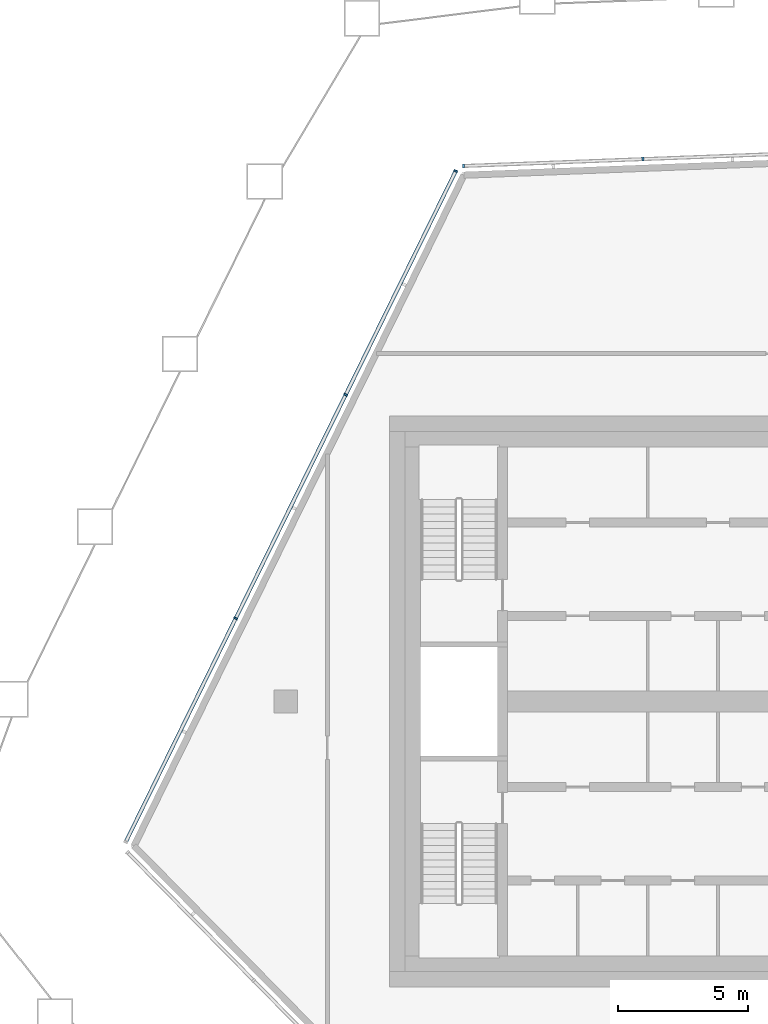
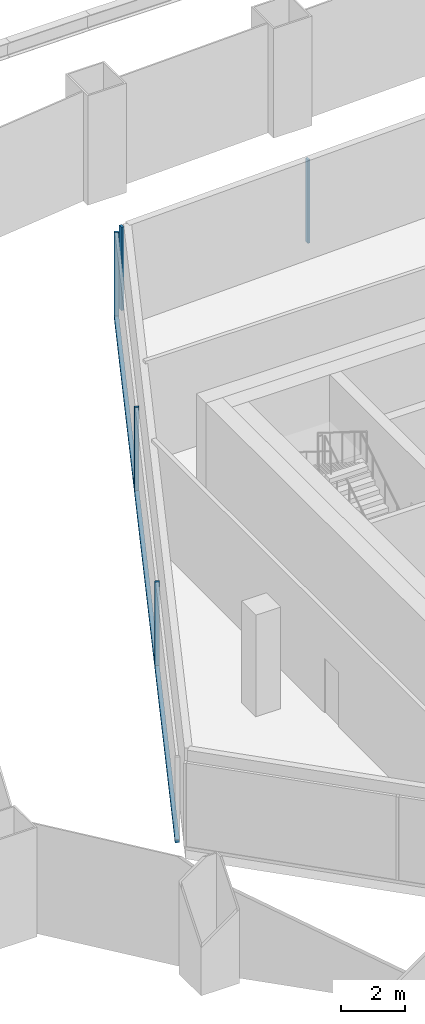
# One storey, part 5 of 18: 6 members, 2 elements without a shape of their own.
"""IFC4 building model written with IfcOpenShell, lengths in metres."""

import ifcopenshell
import ifcopenshell.guid

model = None  # the IFC model being written
_history = None  # IfcOwnerHistory: only IFC2X3 demands one
_inside = {}  # id of a spatial element -> (the spatial element, [elements in it])
_under = {}  # id of a project, library or spatial element -> (it, [spatial elements below it])
_declared = {}  # id of a project -> (the project, [libraries it declares])
_typed = {}  # id of a type object -> (the type object, [elements of that type])
_made_of = {}  # id of a material, layer set ... -> (it, [elements and type objects made of it])


def new_model(schema):
    """Start an empty IFC model of exactly this schema.

    Asked for "IFC4X3", IfcOpenShell would pick the latest addendum, in which some entities
    have other attributes; the version numbers below select the first issue.
    IFC2X3 requires an IfcOwnerHistory on every rooted entity: one is made here for all.
    """
    global model, _history
    if schema == "IFC4X3":
        model = ifcopenshell.file(schema_version=(4, 3, 0, 0))
    else:
        model = ifcopenshell.file(schema=schema)
    _inside.clear()
    _under.clear()
    _declared.clear()
    _typed.clear()
    _made_of.clear()
    _history = None
    if model.schema == "IFC2X3":
        org = make("IfcOrganization", Name="unknown")
        user = make(
            "IfcPersonAndOrganization",
            ThePerson=make("IfcPerson", FamilyName="unknown"),
            TheOrganization=org,
        )
        app = make(
            "IfcApplication",
            ApplicationDeveloper=org,
            Version="unknown",
            ApplicationFullName="unknown",
            ApplicationIdentifier="unknown",
        )
        _history = make(
            "IfcOwnerHistory",
            OwningUser=user,
            OwningApplication=app,
            ChangeAction="ADDED",
            CreationDate=0,
        )
    return model


def make(cls, **values):
    """One entity of the class cls with the attributes given. An attribute that is None is left unset."""
    return model.create_entity(
        cls, **{name: value for name, value in values.items() if value is not None}
    )


def rooted(cls, **values):
    """An entity with a GlobalId (a new one), such as an element, a storey or a relation."""
    return make(cls, GlobalId=ifcopenshell.guid.new(), OwnerHistory=_history, **values)


def si_unit(unit_type, name, prefix=None):
    """IfcSIUnit, for example si_unit("LENGTHUNIT", "METRE", prefix="MILLI")."""
    return make("IfcSIUnit", UnitType=unit_type, Prefix=prefix, Name=name)


def assignment(units):
    """IfcUnitAssignment: the units of a project."""
    return None if units is None else make("IfcUnitAssignment", Units=units)


def point(xyz):
    """IfcCartesianPoint."""
    return None if xyz is None else make("IfcCartesianPoint", Coordinates=xyz)


def direction(xyz):
    """IfcDirection."""
    return None if xyz is None else make("IfcDirection", DirectionRatios=xyz)


def frame(location, z_axis=None, x_axis=None):
    """IfcAxis2Placement3D, a coordinate frame: its origin and axes. An axis left out is left unset."""
    return make(
        "IfcAxis2Placement3D",
        Location=point(location),
        Axis=direction(z_axis),
        RefDirection=direction(x_axis),
    )


def frame_2d(location, x_axis=None):
    """IfcAxis2Placement2D, a coordinate frame in the plane: its origin and x axis."""
    return make(
        "IfcAxis2Placement2D", Location=point(location), RefDirection=direction(x_axis)
    )


def origin():
    """The frame at (0, 0, 0) with its axes left unset."""
    return frame((0.0, 0.0, 0.0))


def origin_2d():
    """The frame at (0, 0) in the plane with its x axis left unset."""
    return frame_2d((0.0, 0.0))


def place(relative_to, where):
    """IfcLocalPlacement: puts the frame where relative to a parent placement (None: the world)."""
    return make(
        "IfcLocalPlacement", PlacementRelTo=relative_to, RelativePlacement=where
    )


def context(
    kind, dimensions, precision=None, world=None, true_north=None, identifier=None
):
    """IfcGeometricRepresentationContext, for example the 3D "Model" context."""
    return make(
        "IfcGeometricRepresentationContext",
        ContextIdentifier=identifier,
        ContextType=kind,
        CoordinateSpaceDimension=dimensions,
        Precision=precision,
        WorldCoordinateSystem=world,
        TrueNorth=true_north,
    )


def subcontext(parent, identifier, kind, view, scale=None):
    """IfcGeometricRepresentationSubContext, for example "Body" below "Model"."""
    return make(
        "IfcGeometricRepresentationSubContext",
        ContextIdentifier=identifier,
        ContextType=kind,
        ParentContext=parent,
        TargetScale=scale,
        TargetView=view,
    )


def project(units=None, contexts=None):
    """IfcProject with its units and contexts."""
    return rooted(
        "IfcProject",
        Name="project",
        RepresentationContexts=contexts,
        UnitsInContext=assignment(units),
    )


def spatial(cls, under=None, at=None, **own):
    """A site, building, storey or space (cls), placed at a placement, below another one or the project."""
    s = rooted(cls, ObjectPlacement=at, **own)
    if under is not None:
        _under.setdefault(under.id(), (under, []))[1].append(s)
    return s


def profile(cls, at=None, kind="AREA", **sizes):
    """A parametric profile (cls). Its sizes go by their IFC names, for example OverallWidth=200.0."""
    return make(cls, ProfileType=kind, Position=at, **sizes)


def rectangle(**sizes):
    """IfcRectangleProfileDef."""
    return profile("IfcRectangleProfileDef", **sizes)


def extrude(swept, where, along, depth):
    """IfcExtrudedAreaSolid: the profile swept, set in the frame where, extruded along a direction by depth."""
    return make(
        "IfcExtrudedAreaSolid",
        SweptArea=swept,
        Position=where,
        ExtrudedDirection=direction(along),
        Depth=depth,
    )


def shape(context_of_items, identifier, shape_type, items):
    """IfcShapeRepresentation: the items that make up one representation, for example the "Body"."""
    return make(
        "IfcShapeRepresentation",
        ContextOfItems=context_of_items,
        RepresentationIdentifier=identifier,
        RepresentationType=shape_type,
        Items=items,
    )


def material(Name=None, Category=None):
    """IfcMaterial."""
    return make("IfcMaterial", Name=Name, Category=Category)


def layer(
    of_material, thickness, ventilated=None, Name=None, Category=None, Priority=None
):
    """IfcMaterialLayer: one layer of a wall or slab, of a material (None: an air gap)."""
    return make(
        "IfcMaterialLayer",
        Material=of_material,
        LayerThickness=thickness,
        IsVentilated=ventilated,
        Name=Name,
        Category=Category,
        Priority=Priority,
    )


def layer_set(layers, Name=None):
    """IfcMaterialLayerSet."""
    return make("IfcMaterialLayerSet", MaterialLayers=layers, LayerSetName=Name)


def material_profile(
    of_material, cross_section, Name=None, Category=None, Priority=None
):
    """IfcMaterialProfile: a cross section and its material."""
    return make(
        "IfcMaterialProfile",
        Name=Name,
        Material=of_material,
        Profile=cross_section,
        Priority=Priority,
        Category=Category,
    )


def profile_set(profiles, Name=None, composite=None):
    """IfcMaterialProfileSet."""
    return make(
        "IfcMaterialProfileSet",
        Name=Name,
        MaterialProfiles=profiles,
        CompositeProfile=composite,
    )


def made_of(thing, what):
    """Note that an element or type object is made of a material, layer set ...; save() writes the relation."""
    if what is not None:
        _made_of.setdefault(what.id(), (what, []))[1].append(thing)
    return thing


def type_object(cls, material=None, **own):
    """A type object (cls), such as IfcWallType, which elements share."""
    return made_of(rooted(cls, **own), material)


def element(
    cls,
    number,
    at=None,
    inside=None,
    cuts=None,
    type_object=None,
    material=None,
    context=None,
    identifier="Body",
    shape_type=None,
    held_by="IfcProductDefinitionShape",
    body=None,
    shapes=None,
    **own,
):
    """One element of the class cls, such as IfcWall. Its Tag is "e" and its number.

    at: its placement. inside: the storey or other place that contains it. cuts: it is an
    opening in that element (IfcRelVoidsElement). A single representation is given by context,
    identifier, shape_type and body (its items); several are given by shapes. held_by: the class
    of the entity that holds the representations. save() writes the other relations.
    """
    e = rooted(cls, Tag="e%d" % number, ObjectPlacement=at, **own)
    if body is not None:
        shapes = [shape(context, identifier, shape_type, body)]
    if shapes is not None:
        e.Representation = make(held_by, Representations=shapes)
    if inside is not None:
        _inside.setdefault(inside.id(), (inside, []))[1].append(e)
    if cuts is not None:
        rooted(
            "IfcRelVoidsElement", RelatingBuildingElement=cuts, RelatedOpeningElement=e
        )
    if type_object is not None:
        _typed.setdefault(type_object.id(), (type_object, []))[1].append(e)
    return made_of(e, material)


def aggregate(whole, parts):
    """IfcRelAggregates: a whole, such as a stair, and the parts it consists of."""
    return rooted("IfcRelAggregates", RelatingObject=whole, RelatedObjects=parts)


def save(model, path):
    """Write the relations noted so far, then the file.

    IfcRelAggregates (storeys below a building ...), IfcRelContainedInSpatialStructure (elements
    in a storey), IfcRelDefinesByType, IfcRelAssociatesMaterial and IfcRelDeclares: one each for
    every whole, place, type object, material and project.
    """
    for whole, parts in _under.values():
        aggregate(whole, parts)
    for where, things in _inside.values():
        rooted(
            "IfcRelContainedInSpatialStructure",
            RelatedElements=things,
            RelatingStructure=where,
        )
    for kind, things in _typed.values():
        rooted("IfcRelDefinesByType", RelatedObjects=things, RelatingType=kind)
    for what, things in _made_of.values():
        rooted("IfcRelAssociatesMaterial", RelatedObjects=things, RelatingMaterial=what)
    for by, libraries in _declared.values():
        rooted("IfcRelDeclares", RelatingContext=by, RelatedDefinitions=libraries)
    model.write(path)


model = new_model("IFC4")

# Units and contexts
model_context = context("Model", 3, precision=1e-05, world=origin(), true_north=direction((0.0, 1.0)))
body_context = subcontext(model_context, "Body", "Model", "MODEL_VIEW")
ifc_project = project(units=[si_unit("LENGTHUNIT", "METRE"), si_unit("AREAUNIT", "SQUARE_METRE"), si_unit("VOLUMEUNIT", "CUBIC_METRE"), si_unit("PLANEANGLEUNIT", "RADIAN"), si_unit("MASSUNIT", "GRAM", prefix="KILO")], contexts=[model_context])

# Site, building, storey
site_placement = place(None, origin())
site = spatial("IfcSite", under=ifc_project, at=site_placement, CompositionType="ELEMENT")
building_placement = place(site_placement, origin())
building = spatial("IfcBuilding", under=site, at=building_placement, Name="Dongbaek Canopy Tower", CompositionType="ELEMENT")
storey_placement = place(building_placement, frame((0.0, 0.0, 371.60009765625)))
storey = spatial("IfcBuildingStorey", under=building, at=storey_placement, Name="L80", CompositionType="ELEMENT", Elevation=371.60009765625)

# Curtain wall, members
ifc_material_1 = material(Name="Aluminium 6063-T6 pale anodised", Category="aluminium")
ifc_layer = layer(ifc_material_1, 0.14990234375)
ifc_layer_set = layer_set([ifc_layer], Name="CW-7 louvre curtain wall")
curtain_wall_type = type_object("IfcCurtainWallType", Name="CW-7 louvre curtain wall", PredefinedType="NOTDEFINED", material=ifc_layer_set)
curtain_wall_1_placement = place(storey_placement, origin())
curtain_wall_1 = element("IfcCurtainWall", 1, at=curtain_wall_1_placement, inside=storey, type_object=curtain_wall_type, Name="CW-7 louvre wall L80 F3", PredefinedType="NOTDEFINED")
ifc_material_2 = material(Name="Aluminium 6063-T6 pale anodised", Category="aluminium")
ifc_material_profile_1 = material_profile(ifc_material_2, rectangle(XDim=0.14990234375, YDim=0.080078125, at=origin_2d()), Name="CW-7 mullion 80 x 150")
ifc_profile_set_1 = profile_set([ifc_material_profile_1], Name="Aluminium 6063-T6 pale anodised")
member_type_1 = type_object("IfcMemberType", Name="CW-7 mullion 80 x 150", PredefinedType="MULLION", material=ifc_profile_set_1)
member_1_placement = place(storey_placement, frame((-4.24462890625, 20.893798828125, 0.2998046875), z_axis=(0.0, 0.0, 1.0), x_axis=(-0.038231979514, 0.999268890611, 0.0)))
member_1 = element("IfcMember", 2, at=member_1_placement, type_object=member_type_1, Name="CW-7 mullion L80 F3.1.3", PredefinedType="MULLION", context=body_context, shape_type="SweptSolid", body=[
    extrude(rectangle(XDim=0.14990234375, YDim=0.080078125, at=origin_2d()), origin(), (0.0, 0.0, 1.0), 3.2001953125),
])
member_2_placement = place(storey_placement, frame((-11.15185546875, 20.62939453125, 0.2998046875), z_axis=(0.0, 0.0, 1.0), x_axis=(-0.038231979514, 0.999268890611, 0.0)))
member_2 = element("IfcMember", 3, at=member_2_placement, type_object=member_type_1, Name="CW-7 mullion L80 F3.1.4", PredefinedType="MULLION", context=body_context, shape_type="SweptSolid", body=[
    extrude(rectangle(XDim=0.14990234375, YDim=0.080078125, at=origin_2d()), origin(), (0.0, 0.0, 1.0), 3.2001953125),
])
aggregate(curtain_wall_1, [member_1, member_2])

curtain_wall_2_placement = place(storey_placement, origin())
curtain_wall_2 = element("IfcCurtainWall", 4, at=curtain_wall_2_placement, inside=storey, type_object=curtain_wall_type, Name="CW-7 louvre wall L80 F4", PredefinedType="NOTDEFINED")
member_3_placement = place(storey_placement, frame((-11.452392578125, 20.43408203125, 0.2998046875), z_axis=(0.0, 0.0, 1.0), x_axis=(-0.897339163834, 0.441341619439, 0.0)))
member_3 = element("IfcMember", 5, at=member_3_placement, type_object=member_type_1, Name="CW-7 mullion L80 F4.1.1", PredefinedType="MULLION", context=body_context, shape_type="SweptSolid", body=[
    extrude(rectangle(XDim=0.14990234375, YDim=0.080078125, at=origin_2d()), origin(), (0.0, 0.0, 1.0), 3.2001953125),
])
member_4_placement = place(storey_placement, frame((-15.690185546875, 11.818359375, 0.2998046875), z_axis=(0.0, 0.0, 1.0), x_axis=(-0.897339163834, 0.441341619439, 0.0)))
member_4 = element("IfcMember", 6, at=member_4_placement, type_object=member_type_1, Name="CW-7 mullion L80 F4.1.2", PredefinedType="MULLION", context=body_context, shape_type="SweptSolid", body=[
    extrude(rectangle(XDim=0.14990234375, YDim=0.080078125, at=origin_2d()), origin(), (0.0, 0.0, 1.0), 3.2001953125),
])
member_5_placement = place(storey_placement, frame((-19.927734375, 3.202392578125, 0.2998046875), z_axis=(0.0, 0.0, 1.0), x_axis=(-0.897339163834, 0.441341619439, 0.0)))
member_5 = element("IfcMember", 7, at=member_5_placement, type_object=member_type_1, Name="CW-7 mullion L80 F4.1.3", PredefinedType="MULLION", context=body_context, shape_type="SweptSolid", body=[
    extrude(rectangle(XDim=0.14990234375, YDim=0.080078125, at=origin_2d()), origin(), (0.0, 0.0, 1.0), 3.2001953125),
])
ifc_material_3 = material(Name="Aluminium 6063-T6 pale anodised", Category="aluminium")
ifc_material_profile_2 = material_profile(ifc_material_3, rectangle(XDim=0.14990234375, YDim=0.1201171875, at=origin_2d()), Name="CW-7 transom 120 x 150")
ifc_profile_set_2 = profile_set([ifc_material_profile_2], Name="Aluminium 6063-T6 pale anodised")
member_type_2 = type_object("IfcMemberType", Name="CW-7 transom 120 x 150", PredefinedType="USERDEFINED", material=ifc_profile_set_2)
member_6_placement = place(storey_placement, frame((-11.452392578125, 20.43408203125, 0.239990234375), z_axis=(-0.441345612399, -0.897337199951, 0.0), x_axis=(0.897337199951, -0.441345612399, 0.0)))
member_6 = element("IfcMember", 8, at=member_6_placement, type_object=member_type_2, Name="CW-7 transom L80 F4.1", ObjectType="TRANSOM", PredefinedType="USERDEFINED", context=body_context, shape_type="SweptSolid", body=[
    extrude(rectangle(XDim=0.14990234375, YDim=0.1201171875, at=origin_2d()), origin(), (0.0, 0.0, 1.0), 28.804931640625),
])
aggregate(curtain_wall_2, [member_6, member_3, member_4, member_5])

save(model, "model.ifc")
